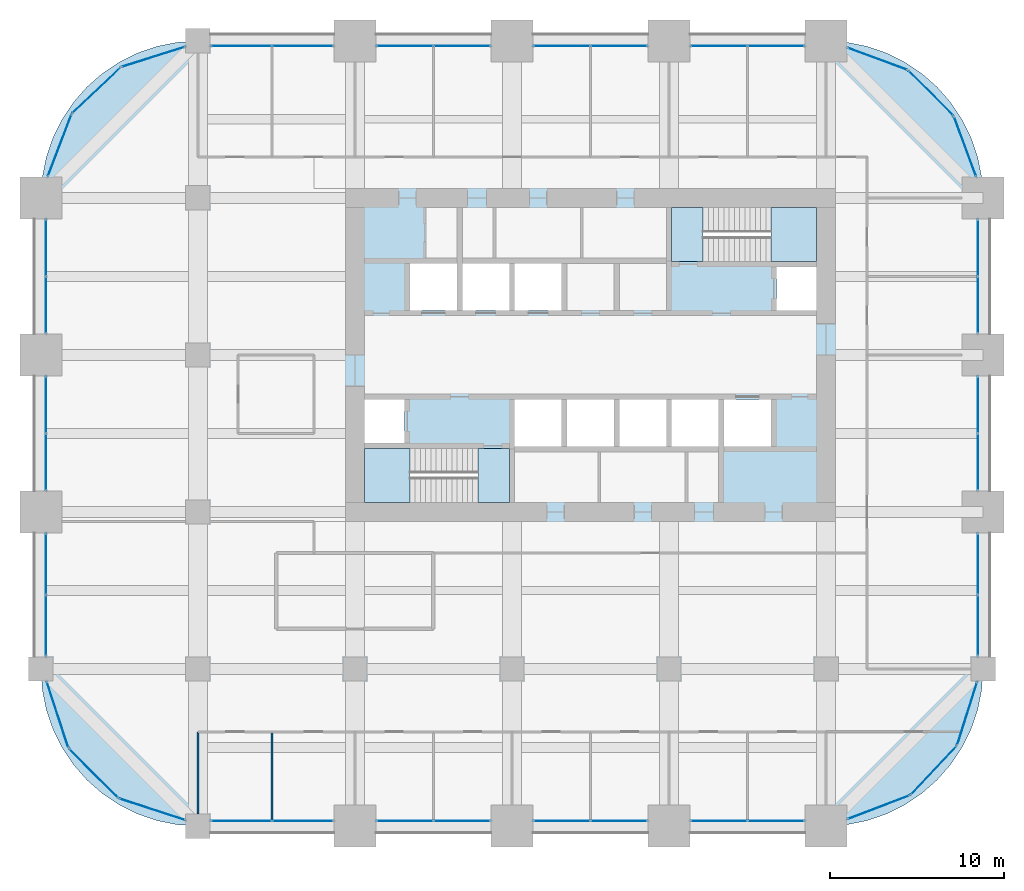
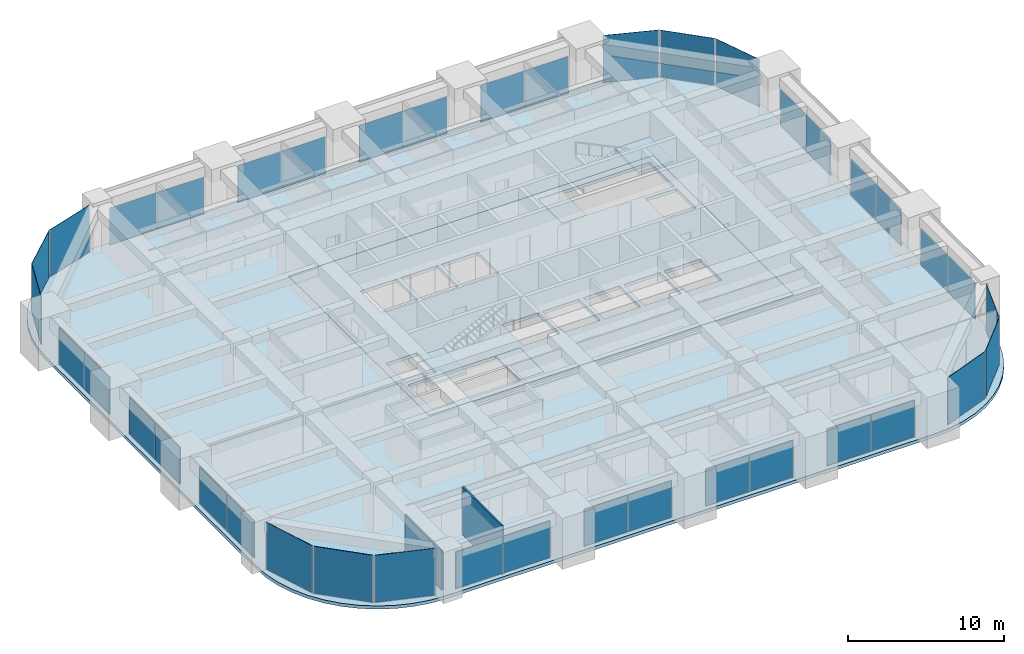
# One storey, part 28 of 33: 40 plates, 6 slabs, 2 walls, 28 elements without a shape of their own.
"""IFC4 building model written with IfcOpenShell, lengths in metres."""

from ifc_helpers import new_model, si_unit, direction, frame, frame_2d, origin, origin_2d, place, context, subcontext, project, spatial, polyline, rectangle, outline, extrude, material, layer, layer_set, type_object, element, aggregate, save


model = new_model("IFC4")

# Units and contexts
model_context = context("Model", 3, precision=1e-05, world=origin(), true_north=direction((0.0, 1.0)))
body_context = subcontext(model_context, "Body", "Model", "MODEL_VIEW")
ifc_project = project(units=[si_unit("LENGTHUNIT", "METRE"), si_unit("AREAUNIT", "SQUARE_METRE"), si_unit("VOLUMEUNIT", "CUBIC_METRE"), si_unit("PLANEANGLEUNIT", "RADIAN"), si_unit("MASSUNIT", "GRAM", prefix="KILO")], contexts=[model_context])

# Site, building, storey
site_placement = place(None, origin())
site = spatial("IfcSite", under=ifc_project, at=site_placement, CompositionType="ELEMENT")
building_placement = place(site_placement, origin())
building = spatial("IfcBuilding", under=site, at=building_placement, Name="Zorevar Civic Tower", CompositionType="ELEMENT")
storey_placement = place(building_placement, frame((0.0, 0.0, 206.199951171875)))
storey = spatial("IfcBuildingStorey", under=building, at=storey_placement, Name="L50", CompositionType="ELEMENT", Elevation=206.199951171875)

# Curtain wall, plates
ifc_material_1 = material(Name="Dark grey solar-control glass in black aluminium frame", Category="aluminium")
curtain_wall_type = type_object("IfcCurtainWallType", Name="Curtain wall CW4 high zone", PredefinedType="NOTDEFINED", material=ifc_material_1)
curtain_wall_1_placement = place(storey_placement, origin())
curtain_wall_1 = element("IfcCurtainWall", 1, at=curtain_wall_1_placement, inside=storey, type_object=curtain_wall_type, Name="CW4 L50", PredefinedType="NOTDEFINED")
ifc_material_2 = material(Name="Dark grey solar-control glass", Category="glass")
ifc_layer_1 = layer(ifc_material_2, 0.028076171875)
ifc_layer_set_1 = layer_set([ifc_layer_1], Name="CW4 panel 28")
plate_type = type_object("IfcPlateType", Name="CW4 panel 28", PredefinedType="CURTAIN_PANEL", material=ifc_layer_set_1)
plate_1_placement = place(storey_placement, frame((11.489990234375, 0.300048828125, 0.06005859375), z_axis=(0.0, 0.0, 1.0), x_axis=(1.0, 0.0, 0.0)))
plate_1 = element("IfcPlate", 2, at=plate_1_placement, type_object=plate_type, Name="CW4 panel 1.1", PredefinedType="CURTAIN_PANEL", context=body_context, shape_type="SweptSolid", body=[
    extrude(rectangle(XDim=3.4599609375, YDim=0.028076171875, at=origin_2d()), origin(), (0.0, 0.0, 1.0), 2.889892578125),
])
plate_2_placement = place(storey_placement, frame((15.010009765625, 0.300048828125, 0.06005859375), z_axis=(0.0, 0.0, 1.0), x_axis=(1.0, 0.0, 0.0)))
plate_2 = element("IfcPlate", 3, at=plate_2_placement, type_object=plate_type, Name="CW4 panel 2.1", PredefinedType="CURTAIN_PANEL", context=body_context, shape_type="SweptSolid", body=[
    extrude(rectangle(XDim=3.4599609375, YDim=0.028076171875, at=origin_2d()), origin(), (0.0, 0.0, 1.0), 2.889892578125),
])
aggregate(curtain_wall_1, [plate_1, plate_2])

curtain_wall_2_placement = place(storey_placement, origin())
curtain_wall_2 = element("IfcCurtainWall", 4, at=curtain_wall_2_placement, inside=storey, type_object=curtain_wall_type, Name="CW4 L50", PredefinedType="NOTDEFINED")
plate_3_placement = place(storey_placement, frame((11.489990234375, 44.699951171875, 0.06005859375), z_axis=(0.0, 0.0, 1.0), x_axis=(1.0, 0.0, 0.0)))
plate_3 = element("IfcPlate", 5, at=plate_3_placement, type_object=plate_type, Name="CW4 panel 1.1", PredefinedType="CURTAIN_PANEL", context=body_context, shape_type="SweptSolid", body=[
    extrude(rectangle(XDim=3.4599609375, YDim=0.028076171875, at=origin_2d()), origin(), (0.0, 0.0, 1.0), 2.889892578125),
])
plate_4_placement = place(storey_placement, frame((15.010009765625, 44.699951171875, 0.06005859375), z_axis=(0.0, 0.0, 1.0), x_axis=(1.0, 0.0, 0.0)))
plate_4 = element("IfcPlate", 6, at=plate_4_placement, type_object=plate_type, Name="CW4 panel 2.1", PredefinedType="CURTAIN_PANEL", context=body_context, shape_type="SweptSolid", body=[
    extrude(rectangle(XDim=3.4599609375, YDim=0.028076171875, at=origin_2d()), origin(), (0.0, 0.0, 1.0), 2.889892578125),
])
aggregate(curtain_wall_2, [plate_3, plate_4])

curtain_wall_3_placement = place(storey_placement, origin())
curtain_wall_3 = element("IfcCurtainWall", 7, at=curtain_wall_3_placement, inside=storey, type_object=curtain_wall_type, Name="CW4 L50", PredefinedType="NOTDEFINED")
plate_5_placement = place(storey_placement, frame((20.864990234375, 0.300048828125, 0.06005859375), z_axis=(0.0, 0.0, 1.0), x_axis=(1.0, 0.0, 0.0)))
plate_5 = element("IfcPlate", 8, at=plate_5_placement, type_object=plate_type, Name="CW4 panel 1.1", PredefinedType="CURTAIN_PANEL", context=body_context, shape_type="SweptSolid", body=[
    extrude(rectangle(XDim=3.2099609375, YDim=0.028076171875, at=origin_2d()), origin(), (0.0, 0.0, 1.0), 2.889892578125),
])
plate_6_placement = place(storey_placement, frame((24.135009765625, 0.300048828125, 0.06005859375), z_axis=(0.0, 0.0, 1.0), x_axis=(1.0, 0.0, 0.0)))
plate_6 = element("IfcPlate", 9, at=plate_6_placement, type_object=plate_type, Name="CW4 panel 2.1", PredefinedType="CURTAIN_PANEL", context=body_context, shape_type="SweptSolid", body=[
    extrude(rectangle(XDim=3.2099609375, YDim=0.028076171875, at=origin_2d()), origin(), (0.0, 0.0, 1.0), 2.889892578125),
])
aggregate(curtain_wall_3, [plate_5, plate_6])

curtain_wall_4_placement = place(storey_placement, origin())
curtain_wall_4 = element("IfcCurtainWall", 10, at=curtain_wall_4_placement, inside=storey, type_object=curtain_wall_type, Name="CW4 L50", PredefinedType="NOTDEFINED")
plate_7_placement = place(storey_placement, frame((20.864990234375, 44.699951171875, 0.06005859375), z_axis=(0.0, 0.0, 1.0), x_axis=(1.0, 0.0, 0.0)))
plate_7 = element("IfcPlate", 11, at=plate_7_placement, type_object=plate_type, Name="CW4 panel 1.1", PredefinedType="CURTAIN_PANEL", context=body_context, shape_type="SweptSolid", body=[
    extrude(rectangle(XDim=3.2099609375, YDim=0.028076171875, at=origin_2d()), origin(), (0.0, 0.0, 1.0), 2.889892578125),
])
plate_8_placement = place(storey_placement, frame((24.135009765625, 44.699951171875, 0.06005859375), z_axis=(0.0, 0.0, 1.0), x_axis=(1.0, 0.0, 0.0)))
plate_8 = element("IfcPlate", 12, at=plate_8_placement, type_object=plate_type, Name="CW4 panel 2.1", PredefinedType="CURTAIN_PANEL", context=body_context, shape_type="SweptSolid", body=[
    extrude(rectangle(XDim=3.2099609375, YDim=0.028076171875, at=origin_2d()), origin(), (0.0, 0.0, 1.0), 2.889892578125),
])
aggregate(curtain_wall_4, [plate_7, plate_8])

curtain_wall_5_placement = place(storey_placement, origin())
curtain_wall_5 = element("IfcCurtainWall", 13, at=curtain_wall_5_placement, inside=storey, type_object=curtain_wall_type, Name="CW4 L50", PredefinedType="NOTDEFINED")
plate_9_placement = place(storey_placement, frame((29.864990234375, 0.300048828125, 0.06005859375), z_axis=(0.0, 0.0, 1.0), x_axis=(1.0, 0.0, 0.0)))
plate_9 = element("IfcPlate", 14, at=plate_9_placement, type_object=plate_type, Name="CW4 panel 1.1", PredefinedType="CURTAIN_PANEL", context=body_context, shape_type="SweptSolid", body=[
    extrude(rectangle(XDim=3.2099609375, YDim=0.028076171875, at=origin_2d()), origin(), (0.0, 0.0, 1.0), 2.889892578125),
])
plate_10_placement = place(storey_placement, frame((33.135009765625, 0.300048828125, 0.06005859375), z_axis=(0.0, 0.0, 1.0), x_axis=(1.0, 0.0, 0.0)))
plate_10 = element("IfcPlate", 15, at=plate_10_placement, type_object=plate_type, Name="CW4 panel 2.1", PredefinedType="CURTAIN_PANEL", context=body_context, shape_type="SweptSolid", body=[
    extrude(rectangle(XDim=3.2099609375, YDim=0.028076171875, at=origin_2d()), origin(), (0.0, 0.0, 1.0), 2.889892578125),
])
aggregate(curtain_wall_5, [plate_9, plate_10])

curtain_wall_6_placement = place(storey_placement, origin())
curtain_wall_6 = element("IfcCurtainWall", 16, at=curtain_wall_6_placement, inside=storey, type_object=curtain_wall_type, Name="CW4 L50", PredefinedType="NOTDEFINED")
plate_11_placement = place(storey_placement, frame((29.864990234375, 44.699951171875, 0.06005859375), z_axis=(0.0, 0.0, 1.0), x_axis=(1.0, 0.0, 0.0)))
plate_11 = element("IfcPlate", 17, at=plate_11_placement, type_object=plate_type, Name="CW4 panel 1.1", PredefinedType="CURTAIN_PANEL", context=body_context, shape_type="SweptSolid", body=[
    extrude(rectangle(XDim=3.2099609375, YDim=0.028076171875, at=origin_2d()), origin(), (0.0, 0.0, 1.0), 2.889892578125),
])
plate_12_placement = place(storey_placement, frame((33.135009765625, 44.699951171875, 0.06005859375), z_axis=(0.0, 0.0, 1.0), x_axis=(1.0, 0.0, 0.0)))
plate_12 = element("IfcPlate", 18, at=plate_12_placement, type_object=plate_type, Name="CW4 panel 2.1", PredefinedType="CURTAIN_PANEL", context=body_context, shape_type="SweptSolid", body=[
    extrude(rectangle(XDim=3.2099609375, YDim=0.028076171875, at=origin_2d()), origin(), (0.0, 0.0, 1.0), 2.889892578125),
])
aggregate(curtain_wall_6, [plate_11, plate_12])

curtain_wall_7_placement = place(storey_placement, origin())
curtain_wall_7 = element("IfcCurtainWall", 19, at=curtain_wall_7_placement, inside=storey, type_object=curtain_wall_type, Name="CW4 L50", PredefinedType="NOTDEFINED")
plate_13_placement = place(storey_placement, frame((38.864990234375, 0.300048828125, 0.06005859375), z_axis=(0.0, 0.0, 1.0), x_axis=(1.0, 0.0, 0.0)))
plate_13 = element("IfcPlate", 20, at=plate_13_placement, type_object=plate_type, Name="CW4 panel 1.1", PredefinedType="CURTAIN_PANEL", context=body_context, shape_type="SweptSolid", body=[
    extrude(rectangle(XDim=3.2099609375, YDim=0.028076171875, at=origin_2d()), origin(), (0.0, 0.0, 1.0), 2.889892578125),
])
plate_14_placement = place(storey_placement, frame((42.135009765625, 0.300048828125, 0.06005859375), z_axis=(0.0, 0.0, 1.0), x_axis=(1.0, 0.0, 0.0)))
plate_14 = element("IfcPlate", 21, at=plate_14_placement, type_object=plate_type, Name="CW4 panel 2.1", PredefinedType="CURTAIN_PANEL", context=body_context, shape_type="SweptSolid", body=[
    extrude(rectangle(XDim=3.2099609375, YDim=0.028076171875, at=origin_2d()), origin(), (0.0, 0.0, 1.0), 2.889892578125),
])
aggregate(curtain_wall_7, [plate_13, plate_14])

curtain_wall_8_placement = place(storey_placement, origin())
curtain_wall_8 = element("IfcCurtainWall", 22, at=curtain_wall_8_placement, inside=storey, type_object=curtain_wall_type, Name="CW4 L50", PredefinedType="NOTDEFINED")
plate_15_placement = place(storey_placement, frame((38.864990234375, 44.699951171875, 0.06005859375), z_axis=(0.0, 0.0, 1.0), x_axis=(1.0, 0.0, 0.0)))
plate_15 = element("IfcPlate", 23, at=plate_15_placement, type_object=plate_type, Name="CW4 panel 1.1", PredefinedType="CURTAIN_PANEL", context=body_context, shape_type="SweptSolid", body=[
    extrude(rectangle(XDim=3.2099609375, YDim=0.028076171875, at=origin_2d()), origin(), (0.0, 0.0, 1.0), 2.889892578125),
])
plate_16_placement = place(storey_placement, frame((42.135009765625, 44.699951171875, 0.06005859375), z_axis=(0.0, 0.0, 1.0), x_axis=(1.0, 0.0, 0.0)))
plate_16 = element("IfcPlate", 24, at=plate_16_placement, type_object=plate_type, Name="CW4 panel 2.1", PredefinedType="CURTAIN_PANEL", context=body_context, shape_type="SweptSolid", body=[
    extrude(rectangle(XDim=3.2099609375, YDim=0.028076171875, at=origin_2d()), origin(), (0.0, 0.0, 1.0), 2.889892578125),
])
aggregate(curtain_wall_8, [plate_15, plate_16])

curtain_wall_9_placement = place(storey_placement, origin())
curtain_wall_9 = element("IfcCurtainWall", 25, at=curtain_wall_9_placement, inside=storey, type_object=curtain_wall_type, Name="CW4 L50", PredefinedType="NOTDEFINED")
plate_17_placement = place(storey_placement, frame((0.300048828125, 11.489990234375, 0.06005859375), z_axis=(0.0, 0.0, 1.0), x_axis=(0.0, 1.0, 0.0)))
plate_17 = element("IfcPlate", 26, at=plate_17_placement, type_object=plate_type, Name="CW4 panel 1.1", PredefinedType="CURTAIN_PANEL", context=body_context, shape_type="SweptSolid", body=[
    extrude(rectangle(XDim=3.4599609375, YDim=0.028076171875, at=origin_2d()), origin(), (0.0, 0.0, 1.0), 2.889892578125),
])
plate_18_placement = place(storey_placement, frame((0.300048828125, 15.010009765625, 0.06005859375), z_axis=(0.0, 0.0, 1.0), x_axis=(0.0, 1.0, 0.0)))
plate_18 = element("IfcPlate", 27, at=plate_18_placement, type_object=plate_type, Name="CW4 panel 2.1", PredefinedType="CURTAIN_PANEL", context=body_context, shape_type="SweptSolid", body=[
    extrude(rectangle(XDim=3.4599609375, YDim=0.028076171875, at=origin_2d()), origin(), (0.0, 0.0, 1.0), 2.889892578125),
])
aggregate(curtain_wall_9, [plate_17, plate_18])

curtain_wall_10_placement = place(storey_placement, origin())
curtain_wall_10 = element("IfcCurtainWall", 28, at=curtain_wall_10_placement, inside=storey, type_object=curtain_wall_type, Name="CW4 L50", PredefinedType="NOTDEFINED")
plate_19_placement = place(storey_placement, frame((53.699951171875, 11.489990234375, 0.06005859375), z_axis=(0.0, 0.0, 1.0), x_axis=(0.0, 1.0, 0.0)))
plate_19 = element("IfcPlate", 29, at=plate_19_placement, type_object=plate_type, Name="CW4 panel 1.1", PredefinedType="CURTAIN_PANEL", context=body_context, shape_type="SweptSolid", body=[
    extrude(rectangle(XDim=3.4599609375, YDim=0.028076171875, at=origin_2d()), origin(), (0.0, 0.0, 1.0), 2.889892578125),
])
plate_20_placement = place(storey_placement, frame((53.699951171875, 15.010009765625, 0.06005859375), z_axis=(0.0, 0.0, 1.0), x_axis=(0.0, 1.0, 0.0)))
plate_20 = element("IfcPlate", 30, at=plate_20_placement, type_object=plate_type, Name="CW4 panel 2.1", PredefinedType="CURTAIN_PANEL", context=body_context, shape_type="SweptSolid", body=[
    extrude(rectangle(XDim=3.4599609375, YDim=0.028076171875, at=origin_2d()), origin(), (0.0, 0.0, 1.0), 2.889892578125),
])
aggregate(curtain_wall_10, [plate_19, plate_20])

curtain_wall_11_placement = place(storey_placement, origin())
curtain_wall_11 = element("IfcCurtainWall", 31, at=curtain_wall_11_placement, inside=storey, type_object=curtain_wall_type, Name="CW4 L50", PredefinedType="NOTDEFINED")
plate_21_placement = place(storey_placement, frame((0.300048828125, 20.864990234375, 0.06005859375), z_axis=(0.0, 0.0, 1.0), x_axis=(0.0, 1.0, 0.0)))
plate_21 = element("IfcPlate", 32, at=plate_21_placement, type_object=plate_type, Name="CW4 panel 1.1", PredefinedType="CURTAIN_PANEL", context=body_context, shape_type="SweptSolid", body=[
    extrude(rectangle(XDim=3.2099609375, YDim=0.028076171875, at=origin_2d()), origin(), (0.0, 0.0, 1.0), 2.889892578125),
])
plate_22_placement = place(storey_placement, frame((0.300048828125, 24.135009765625, 0.06005859375), z_axis=(0.0, 0.0, 1.0), x_axis=(0.0, 1.0, 0.0)))
plate_22 = element("IfcPlate", 33, at=plate_22_placement, type_object=plate_type, Name="CW4 panel 2.1", PredefinedType="CURTAIN_PANEL", context=body_context, shape_type="SweptSolid", body=[
    extrude(rectangle(XDim=3.2099609375, YDim=0.028076171875, at=origin_2d()), origin(), (0.0, 0.0, 1.0), 2.889892578125),
])
aggregate(curtain_wall_11, [plate_21, plate_22])

curtain_wall_12_placement = place(storey_placement, origin())
curtain_wall_12 = element("IfcCurtainWall", 34, at=curtain_wall_12_placement, inside=storey, type_object=curtain_wall_type, Name="CW4 L50", PredefinedType="NOTDEFINED")
plate_23_placement = place(storey_placement, frame((53.699951171875, 20.864990234375, 0.06005859375), z_axis=(0.0, 0.0, 1.0), x_axis=(0.0, 1.0, 0.0)))
plate_23 = element("IfcPlate", 35, at=plate_23_placement, type_object=plate_type, Name="CW4 panel 1.1", PredefinedType="CURTAIN_PANEL", context=body_context, shape_type="SweptSolid", body=[
    extrude(rectangle(XDim=3.2099609375, YDim=0.028076171875, at=origin_2d()), origin(), (0.0, 0.0, 1.0), 2.889892578125),
])
plate_24_placement = place(storey_placement, frame((53.699951171875, 24.135009765625, 0.06005859375), z_axis=(0.0, 0.0, 1.0), x_axis=(0.0, 1.0, 0.0)))
plate_24 = element("IfcPlate", 36, at=plate_24_placement, type_object=plate_type, Name="CW4 panel 2.1", PredefinedType="CURTAIN_PANEL", context=body_context, shape_type="SweptSolid", body=[
    extrude(rectangle(XDim=3.2099609375, YDim=0.028076171875, at=origin_2d()), origin(), (0.0, 0.0, 1.0), 2.889892578125),
])
aggregate(curtain_wall_12, [plate_23, plate_24])

curtain_wall_13_placement = place(storey_placement, origin())
curtain_wall_13 = element("IfcCurtainWall", 37, at=curtain_wall_13_placement, inside=storey, type_object=curtain_wall_type, Name="CW4 L50", PredefinedType="NOTDEFINED")
plate_25_placement = place(storey_placement, frame((0.300048828125, 29.864990234375, 0.06005859375), z_axis=(0.0, 0.0, 1.0), x_axis=(0.0, 1.0, 0.0)))
plate_25 = element("IfcPlate", 38, at=plate_25_placement, type_object=plate_type, Name="CW4 panel 1.1", PredefinedType="CURTAIN_PANEL", context=body_context, shape_type="SweptSolid", body=[
    extrude(rectangle(XDim=3.2099609375, YDim=0.028076171875, at=origin_2d()), origin(), (0.0, 0.0, 1.0), 2.889892578125),
])
plate_26_placement = place(storey_placement, frame((0.300048828125, 33.135009765625, 0.06005859375), z_axis=(0.0, 0.0, 1.0), x_axis=(0.0, 1.0, 0.0)))
plate_26 = element("IfcPlate", 39, at=plate_26_placement, type_object=plate_type, Name="CW4 panel 2.1", PredefinedType="CURTAIN_PANEL", context=body_context, shape_type="SweptSolid", body=[
    extrude(rectangle(XDim=3.2099609375, YDim=0.028076171875, at=origin_2d()), origin(), (0.0, 0.0, 1.0), 2.889892578125),
])
aggregate(curtain_wall_13, [plate_25, plate_26])

curtain_wall_14_placement = place(storey_placement, origin())
curtain_wall_14 = element("IfcCurtainWall", 40, at=curtain_wall_14_placement, inside=storey, type_object=curtain_wall_type, Name="CW4 L50", PredefinedType="NOTDEFINED")
plate_27_placement = place(storey_placement, frame((53.699951171875, 29.864990234375, 0.06005859375), z_axis=(0.0, 0.0, 1.0), x_axis=(0.0, 1.0, 0.0)))
plate_27 = element("IfcPlate", 41, at=plate_27_placement, type_object=plate_type, Name="CW4 panel 1.1", PredefinedType="CURTAIN_PANEL", context=body_context, shape_type="SweptSolid", body=[
    extrude(rectangle(XDim=3.2099609375, YDim=0.028076171875, at=origin_2d()), origin(), (0.0, 0.0, 1.0), 2.889892578125),
])
plate_28_placement = place(storey_placement, frame((53.699951171875, 33.135009765625, 0.06005859375), z_axis=(0.0, 0.0, 1.0), x_axis=(0.0, 1.0, 0.0)))
plate_28 = element("IfcPlate", 42, at=plate_28_placement, type_object=plate_type, Name="CW4 panel 2.1", PredefinedType="CURTAIN_PANEL", context=body_context, shape_type="SweptSolid", body=[
    extrude(rectangle(XDim=3.2099609375, YDim=0.028076171875, at=origin_2d()), origin(), (0.0, 0.0, 1.0), 2.889892578125),
])
aggregate(curtain_wall_14, [plate_27, plate_28])

# Curtain wall, plate
curtain_wall_15_placement = place(storey_placement, origin())
curtain_wall_15 = element("IfcCurtainWall", 43, at=curtain_wall_15_placement, inside=storey, type_object=curtain_wall_type, Name="CW4 L50", PredefinedType="NOTDEFINED")
plate_29_placement = place(storey_placement, frame((48.0166015625, 1.07470703125, 0.06005859375), z_axis=(0.0, 0.0, 1.0), x_axis=(0.93458842801, 0.355730895803, 0.0)))
plate_29 = element("IfcPlate", 44, at=plate_29_placement, type_object=plate_type, Name="CW4 panel 1.1", PredefinedType="CURTAIN_PANEL", context=body_context, shape_type="SweptSolid", body=[
    extrude(rectangle(XDim=3.767333984375, YDim=0.028076171875, at=origin_2d()), origin(), (0.0, 0.0, 1.0), 3.68994140625),
])
aggregate(curtain_wall_15, [plate_29])

curtain_wall_16_placement = place(storey_placement, origin())
curtain_wall_16 = element("IfcCurtainWall", 45, at=curtain_wall_16_placement, inside=storey, type_object=curtain_wall_type, Name="CW4 L50", PredefinedType="NOTDEFINED")
plate_30_placement = place(storey_placement, frame((51.167236328125, 3.179443359375, 0.06005859375), z_axis=(0.0, 0.0, 1.0), x_axis=(0.686377907265, 0.727245053898, 0.0)))
plate_30 = element("IfcPlate", 46, at=plate_30_placement, type_object=plate_type, Name="CW4 panel 1.1", PredefinedType="CURTAIN_PANEL", context=body_context, shape_type="SweptSolid", body=[
    extrude(rectangle(XDim=3.767333984375, YDim=0.028076171875, at=origin_2d()), origin(), (0.0, 0.0, 1.0), 3.68994140625),
])
aggregate(curtain_wall_16, [plate_30])

curtain_wall_17_placement = place(storey_placement, origin())
curtain_wall_17 = element("IfcCurtainWall", 47, at=curtain_wall_17_placement, inside=storey, type_object=curtain_wall_type, Name="CW4 L50", PredefinedType="NOTDEFINED")
plate_31_placement = place(storey_placement, frame((53.08642578125, 6.446533203125, 0.06005859375), z_axis=(0.0, 0.0, 1.0), x_axis=(0.301108296077, 0.953589950678, 0.0)))
plate_31 = element("IfcPlate", 48, at=plate_31_placement, type_object=plate_type, Name="CW4 panel 1.1", PredefinedType="CURTAIN_PANEL", context=body_context, shape_type="SweptSolid", body=[
    extrude(rectangle(XDim=3.767333984375, YDim=0.028076171875, at=origin_2d()), origin(), (0.0, 0.0, 1.0), 3.68994140625),
])
aggregate(curtain_wall_17, [plate_31])

curtain_wall_18_placement = place(storey_placement, origin())
curtain_wall_18 = element("IfcCurtainWall", 49, at=curtain_wall_18_placement, inside=storey, type_object=curtain_wall_type, Name="CW4 L50", PredefinedType="NOTDEFINED")
plate_32_placement = place(storey_placement, frame((52.97119140625, 38.9462890625, 0.06005859375), z_axis=(0.0, 0.0, 1.0), x_axis=(-0.346704012033, 0.937974588163, 0.0)))
plate_32 = element("IfcPlate", 50, at=plate_32_placement, type_object=plate_type, Name="CW4 panel 1.1", PredefinedType="CURTAIN_PANEL", context=body_context, shape_type="SweptSolid", body=[
    extrude(rectangle(XDim=3.603759765625, YDim=0.028076171875, at=origin_2d()), origin(), (0.0, 0.0, 1.0), 3.68994140625),
])
aggregate(curtain_wall_18, [plate_32])

curtain_wall_19_placement = place(storey_placement, origin())
curtain_wall_19 = element("IfcCurtainWall", 51, at=curtain_wall_19_placement, inside=storey, type_object=curtain_wall_type, Name="CW4 L50", PredefinedType="NOTDEFINED")
plate_33_placement = place(storey_placement, frame((51.00927734375, 42.00927734375, 0.06005859375), z_axis=(0.0, 0.0, 1.0), x_axis=(-0.707106781187, 0.707106781187, 0.0)))
plate_33 = element("IfcPlate", 52, at=plate_33_placement, type_object=plate_type, Name="CW4 panel 1.1", PredefinedType="CURTAIN_PANEL", context=body_context, shape_type="SweptSolid", body=[
    extrude(rectangle(XDim=3.603759765625, YDim=0.028076171875, at=origin_2d()), origin(), (0.0, 0.0, 1.0), 3.68994140625),
])
aggregate(curtain_wall_19, [plate_33])

curtain_wall_20_placement = place(storey_placement, origin())
curtain_wall_20 = element("IfcCurtainWall", 53, at=curtain_wall_20_placement, inside=storey, type_object=curtain_wall_type, Name="CW4 L50", PredefinedType="NOTDEFINED")
plate_34_placement = place(storey_placement, frame((47.9462890625, 43.97119140625, 0.06005859375), z_axis=(0.0, 0.0, 1.0), x_axis=(-0.937974588163, 0.346704012033, 0.0)))
plate_34 = element("IfcPlate", 54, at=plate_34_placement, type_object=plate_type, Name="CW4 panel 1.1", PredefinedType="CURTAIN_PANEL", context=body_context, shape_type="SweptSolid", body=[
    extrude(rectangle(XDim=3.603759765625, YDim=0.028076171875, at=origin_2d()), origin(), (0.0, 0.0, 1.0), 3.68994140625),
])
aggregate(curtain_wall_20, [plate_34])

curtain_wall_21_placement = place(storey_placement, origin())
curtain_wall_21 = element("IfcCurtainWall", 55, at=curtain_wall_21_placement, inside=storey, type_object=curtain_wall_type, Name="CW4 L50", PredefinedType="NOTDEFINED")
plate_35_placement = place(storey_placement, frame((6.446533203125, 44.08642578125, 0.06005859375), z_axis=(0.0, 0.0, 1.0), x_axis=(-0.953589950678, -0.301108296077, 0.0)))
plate_35 = element("IfcPlate", 56, at=plate_35_placement, type_object=plate_type, Name="CW4 panel 1.1", PredefinedType="CURTAIN_PANEL", context=body_context, shape_type="SweptSolid", body=[
    extrude(rectangle(XDim=3.767333984375, YDim=0.028076171875, at=origin_2d()), origin(), (0.0, 0.0, 1.0), 3.68994140625),
])
aggregate(curtain_wall_21, [plate_35])

curtain_wall_22_placement = place(storey_placement, origin())
curtain_wall_22 = element("IfcCurtainWall", 57, at=curtain_wall_22_placement, inside=storey, type_object=curtain_wall_type, Name="CW4 L50", PredefinedType="NOTDEFINED")
plate_36_placement = place(storey_placement, frame((3.179443359375, 42.167236328125, 0.06005859375), z_axis=(0.0, 0.0, 1.0), x_axis=(-0.727245053898, -0.686377907265, 0.0)))
plate_36 = element("IfcPlate", 58, at=plate_36_placement, type_object=plate_type, Name="CW4 panel 1.1", PredefinedType="CURTAIN_PANEL", context=body_context, shape_type="SweptSolid", body=[
    extrude(rectangle(XDim=3.767333984375, YDim=0.028076171875, at=origin_2d()), origin(), (0.0, 0.0, 1.0), 3.68994140625),
])
aggregate(curtain_wall_22, [plate_36])

curtain_wall_23_placement = place(storey_placement, origin())
curtain_wall_23 = element("IfcCurtainWall", 59, at=curtain_wall_23_placement, inside=storey, type_object=curtain_wall_type, Name="CW4 L50", PredefinedType="NOTDEFINED")
plate_37_placement = place(storey_placement, frame((1.07470703125, 39.0166015625, 0.06005859375), z_axis=(0.0, 0.0, 1.0), x_axis=(-0.355730895803, -0.93458842801, 0.0)))
plate_37 = element("IfcPlate", 60, at=plate_37_placement, type_object=plate_type, Name="CW4 panel 1.1", PredefinedType="CURTAIN_PANEL", context=body_context, shape_type="SweptSolid", body=[
    extrude(rectangle(XDim=3.767333984375, YDim=0.028076171875, at=origin_2d()), origin(), (0.0, 0.0, 1.0), 3.68994140625),
])
aggregate(curtain_wall_23, [plate_37])

curtain_wall_24_placement = place(storey_placement, origin())
curtain_wall_24 = element("IfcCurtainWall", 61, at=curtain_wall_24_placement, inside=storey, type_object=curtain_wall_type, Name="CW4 L50", PredefinedType="NOTDEFINED")
plate_38_placement = place(storey_placement, frame((0.956787109375, 6.374755859375, 0.06005859375), z_axis=(0.0, 0.0, 1.0), x_axis=(0.310281419775, -0.950644749916, 0.0)))
plate_38 = element("IfcPlate", 62, at=plate_38_placement, type_object=plate_type, Name="CW4 panel 1.1", PredefinedType="CURTAIN_PANEL", context=body_context, shape_type="SweptSolid", body=[
    extrude(rectangle(XDim=3.9306640625, YDim=0.028076171875, at=origin_2d()), origin(), (0.0, 0.0, 1.0), 3.68994140625),
])
aggregate(curtain_wall_24, [plate_38])

curtain_wall_25_placement = place(storey_placement, origin())
curtain_wall_25 = element("IfcCurtainWall", 63, at=curtain_wall_25_placement, inside=storey, type_object=curtain_wall_type, Name="CW4 L50", PredefinedType="NOTDEFINED")
plate_39_placement = place(storey_placement, frame((3.01708984375, 3.01708984375, 0.06005859375), z_axis=(0.0, 0.0, 1.0), x_axis=(0.707106781187, -0.707106781187, 0.0)))
plate_39 = element("IfcPlate", 64, at=plate_39_placement, type_object=plate_type, Name="CW4 panel 1.1", PredefinedType="CURTAIN_PANEL", context=body_context, shape_type="SweptSolid", body=[
    extrude(rectangle(XDim=3.9306640625, YDim=0.028076171875, at=origin_2d()), origin(), (0.0, 0.0, 1.0), 3.68994140625),
])
aggregate(curtain_wall_25, [plate_39])

curtain_wall_26_placement = place(storey_placement, origin())
curtain_wall_26 = element("IfcCurtainWall", 65, at=curtain_wall_26_placement, inside=storey, type_object=curtain_wall_type, Name="CW4 L50", PredefinedType="NOTDEFINED")
plate_40_placement = place(storey_placement, frame((6.374755859375, 0.956787109375, 0.06005859375), z_axis=(0.0, 0.0, 1.0), x_axis=(0.950644749916, -0.310281419775, 0.0)))
plate_40 = element("IfcPlate", 66, at=plate_40_placement, type_object=plate_type, Name="CW4 panel 1.1", PredefinedType="CURTAIN_PANEL", context=body_context, shape_type="SweptSolid", body=[
    extrude(rectangle(XDim=3.9306640625, YDim=0.028076171875, at=origin_2d()), origin(), (0.0, 0.0, 1.0), 3.68994140625),
])
aggregate(curtain_wall_26, [plate_40])

# Slabs
ifc_material_3 = material(Name="Concrete C40/50", Category="concrete")
ifc_layer_2 = layer(ifc_material_3, 0.25)
ifc_layer_set_2 = layer_set([ifc_layer_2], Name="Floor slab 250")
slab_type_1 = type_object("IfcSlabType", Name="Floor slab 250", PredefinedType="FLOOR", material=ifc_layer_set_2)
slab_1_placement = place(storey_placement, frame((0.0, 0.0, -0.25)))
element("IfcSlab", 67, at=slab_1_placement, inside=storey, type_object=slab_type_1, Name="Floor slab L50", PredefinedType="FLOOR", context=body_context, shape_type="SweptSolid", body=[
    extrude(outline(polyline([(45.0, 0.0), (46.1748046875, 0.076904296875), (47.329345703125, 0.306640625), (48.444091796875, 0.68505859375), (49.5, 1.205810546875), (50.478759765625, 1.85986328125), (51.364013671875, 2.635986328125), (52.14013671875, 3.521240234375), (52.794189453125, 4.5), (53.31494140625, 5.555908203125), (53.693359375, 6.670654296875), (53.923095703125, 7.8251953125), (54.0, 9.0), (54.0, 36.0), (53.923095703125, 37.1748046875), (53.693359375, 38.329345703125), (53.31494140625, 39.444091796875), (52.794189453125, 40.5), (52.14013671875, 41.478759765625), (51.364013671875, 42.364013671875), (50.478759765625, 43.14013671875), (49.5, 43.794189453125), (48.444091796875, 44.31494140625), (47.329345703125, 44.693359375), (46.1748046875, 44.923095703125), (45.0, 45.0), (9.0, 45.0), (7.8251953125, 44.923095703125), (6.670654296875, 44.693359375), (5.555908203125, 44.31494140625), (4.5, 43.794189453125), (3.521240234375, 43.14013671875), (2.635986328125, 42.364013671875), (1.85986328125, 41.478759765625), (1.205810546875, 40.5), (0.68505859375, 39.444091796875), (0.306640625, 38.329345703125), (0.076904296875, 37.1748046875), (0.0, 36.0), (0.0, 9.0), (0.076904296875, 7.8251953125), (0.306640625, 6.670654296875), (0.68505859375, 5.555908203125), (1.205810546875, 4.5), (1.85986328125, 3.521240234375), (2.635986328125, 2.635986328125), (3.521240234375, 1.85986328125), (4.5, 1.205810546875), (5.555908203125, 0.68505859375), (6.670654296875, 0.306640625), (7.8251953125, 0.076904296875), (9.0, 0.0), (45.0, 0.0)]), holes=[polyline([(18.0, 18.0), (45.0, 18.0), (45.0, 36.0), (18.0, 36.0), (18.0, 18.0)])]), origin(), (0.0, 0.0, 1.0), 0.25),
])
slab_2_placement = place(storey_placement, frame((0.0, 0.0, -0.25)))
element("IfcSlab", 68, at=slab_2_placement, inside=storey, type_object=slab_type_1, Name="Core floor L50", PredefinedType="FLOOR", context=body_context, shape_type="SweptSolid", body=[
    extrude(outline(polyline([(18.0, 18.0), (45.0, 18.0), (45.0, 36.0), (18.0, 36.0), (18.0, 18.0)]), holes=[polyline([(18.550048828125, 18.550048828125), (26.85009765625, 18.550048828125), (26.85009765625, 21.64990234375), (18.550048828125, 21.64990234375), (18.550048828125, 18.550048828125)]), polyline([(36.14990234375, 32.35009765625), (44.449951171875, 32.35009765625), (44.449951171875, 35.449951171875), (36.14990234375, 35.449951171875), (36.14990234375, 32.35009765625)]), polyline([(18.550048828125, 21.949951171875), (20.85009765625, 21.949951171875), (20.85009765625, 24.449951171875), (18.550048828125, 24.449951171875), (18.550048828125, 21.949951171875)]), polyline([(42.14990234375, 29.550048828125), (44.449951171875, 29.550048828125), (44.449951171875, 32.050048828125), (42.14990234375, 32.050048828125), (42.14990234375, 29.550048828125)]), polyline([(27.14990234375, 21.75), (29.85009765625, 21.75), (29.85009765625, 24.449951171875), (27.14990234375, 24.449951171875), (27.14990234375, 21.75)]), polyline([(30.14990234375, 21.75), (32.85009765625, 21.75), (32.85009765625, 24.449951171875), (30.14990234375, 24.449951171875), (30.14990234375, 21.75)]), polyline([(33.14990234375, 21.75), (35.85009765625, 21.75), (35.85009765625, 24.449951171875), (33.14990234375, 24.449951171875), (33.14990234375, 21.75)]), polyline([(27.14990234375, 29.550048828125), (29.85009765625, 29.550048828125), (29.85009765625, 32.25), (27.14990234375, 32.25), (27.14990234375, 29.550048828125)]), polyline([(36.14990234375, 21.75), (38.85009765625, 21.75), (38.85009765625, 24.449951171875), (36.14990234375, 24.449951171875), (36.14990234375, 21.75)]), polyline([(24.14990234375, 29.550048828125), (26.85009765625, 29.550048828125), (26.85009765625, 32.25), (24.14990234375, 32.25), (24.14990234375, 29.550048828125)]), polyline([(39.14990234375, 21.75), (41.85009765625, 21.75), (41.85009765625, 24.449951171875), (39.14990234375, 24.449951171875), (39.14990234375, 21.75)]), polyline([(21.14990234375, 29.550048828125), (23.85009765625, 29.550048828125), (23.85009765625, 32.25), (21.14990234375, 32.25), (21.14990234375, 29.550048828125)])]), origin(), (0.0, 0.0, 1.0), 0.25),
])

# Stair, slabs
ifc_material_4 = material(Name="Precast concrete C40/50", Category="concrete")
stair_type = type_object("IfcStairType", Name="Stair ST 28R", PredefinedType="HALF_TURN_STAIR", material=ifc_material_4)
stair_1_placement = place(storey_placement, origin())
stair_1 = element("IfcStair", 69, at=stair_1_placement, inside=storey, type_object=stair_type, Name="Stair ST1 L50", PredefinedType="HALF_TURN_STAIR")
ifc_material_5 = material(Name="Concrete C40/50", Category="concrete")
ifc_layer_3 = layer(ifc_material_5, 0.199951171875)
ifc_layer_set_3 = layer_set([ifc_layer_3], Name="Stair landing 200")
slab_type_2 = type_object("IfcSlabType", Name="Stair landing 200", PredefinedType="LANDING", material=ifc_layer_set_3)
slab_3_placement = place(storey_placement, frame((0.0, 0.0, -0.199951171875)))
slab_3 = element("IfcSlab", 70, at=slab_3_placement, type_object=slab_type_2, Name="ST1 landing 1", PredefinedType="LANDING", context=body_context, shape_type="SweptSolid", body=[
    extrude(outline(polyline([(25.050048828125, 18.550048828125), (26.85009765625, 18.550048828125), (26.85009765625, 21.64990234375), (25.050048828125, 21.64990234375), (25.050048828125, 18.550048828125)])), origin(), (0.0, 0.0, 1.0), 0.199951171875),
])
slab_4_placement = place(storey_placement, frame((0.0, 0.0, 1.800048828125)))
slab_4 = element("IfcSlab", 71, at=slab_4_placement, type_object=slab_type_2, Name="ST1 landing 2", PredefinedType="LANDING", context=body_context, shape_type="SweptSolid", body=[
    extrude(outline(polyline([(18.550048828125, 18.550048828125), (21.14990234375, 18.550048828125), (21.14990234375, 21.64990234375), (18.550048828125, 21.64990234375), (18.550048828125, 18.550048828125)])), origin(), (0.0, 0.0, 1.0), 0.199951171875),
])
aggregate(stair_1, [slab_3, slab_4])

stair_2_placement = place(storey_placement, origin())
stair_2 = element("IfcStair", 72, at=stair_2_placement, inside=storey, type_object=stair_type, Name="Stair ST2 L50", PredefinedType="HALF_TURN_STAIR")
slab_5_placement = place(storey_placement, frame((0.0, 0.0, -0.199951171875)))
slab_5 = element("IfcSlab", 73, at=slab_5_placement, type_object=slab_type_2, Name="ST2 landing 1", PredefinedType="LANDING", context=body_context, shape_type="SweptSolid", body=[
    extrude(outline(polyline([(37.949951171875, 32.35009765625), (36.14990234375, 32.35009765625), (36.14990234375, 35.449951171875), (37.949951171875, 35.449951171875), (37.949951171875, 32.35009765625)])), origin(), (0.0, 0.0, 1.0), 0.199951171875),
])
slab_6_placement = place(storey_placement, frame((0.0, 0.0, 1.800048828125)))
slab_6 = element("IfcSlab", 74, at=slab_6_placement, type_object=slab_type_2, Name="ST2 landing 2", PredefinedType="LANDING", context=body_context, shape_type="SweptSolid", body=[
    extrude(outline(polyline([(44.449951171875, 32.35009765625), (41.85009765625, 32.35009765625), (41.85009765625, 35.449951171875), (44.449951171875, 35.449951171875), (44.449951171875, 32.35009765625)])), origin(), (0.0, 0.0, 1.0), 0.199951171875),
])
aggregate(stair_2, [slab_5, slab_6])

# Walls
ifc_material_6 = material(Name="Gypsum board on steel studs", Category="steel")
ifc_layer_4 = layer(ifc_material_6, 0.1201171875)
ifc_layer_set_4 = layer_set([ifc_layer_4], Name="Partition 120")
wall_type = type_object("IfcWallType", Name="Partition 120", PredefinedType="PARTITIONING", material=ifc_layer_set_4)
wall_1_placement = place(storey_placement, frame((9.0, 0.699951171875, 0.0), z_axis=(0.0, 0.0, 1.0), x_axis=(0.0, 1.0, 0.0)))
element("IfcWall", 75, at=wall_1_placement, inside=storey, type_object=wall_type, Name="Partition 120 L50", PredefinedType="PARTITIONING", context=body_context, shape_type="SweptSolid", body=[
    extrude(rectangle(XDim=4.699951171875, YDim=0.1201171875, at=frame_2d((2.35009765625, 0.0))), origin(), (0.0, 0.0, 1.0), 3.050048828125),
])
wall_2_placement = place(storey_placement, frame((13.25, 0.31005859375, 0.0), z_axis=(0.0, 0.0, 1.0), x_axis=(0.0, 1.0, 0.0)))
element("IfcWall", 76, at=wall_2_placement, inside=storey, type_object=wall_type, Name="Partition 120 L50", PredefinedType="PARTITIONING", context=body_context, shape_type="SweptSolid", body=[
    extrude(rectangle(XDim=5.08984375, YDim=0.1201171875, at=frame_2d((2.544921875, 0.0))), origin(), (0.0, 0.0, 1.0), 3.75),
])

save(model, "model.ifc")
